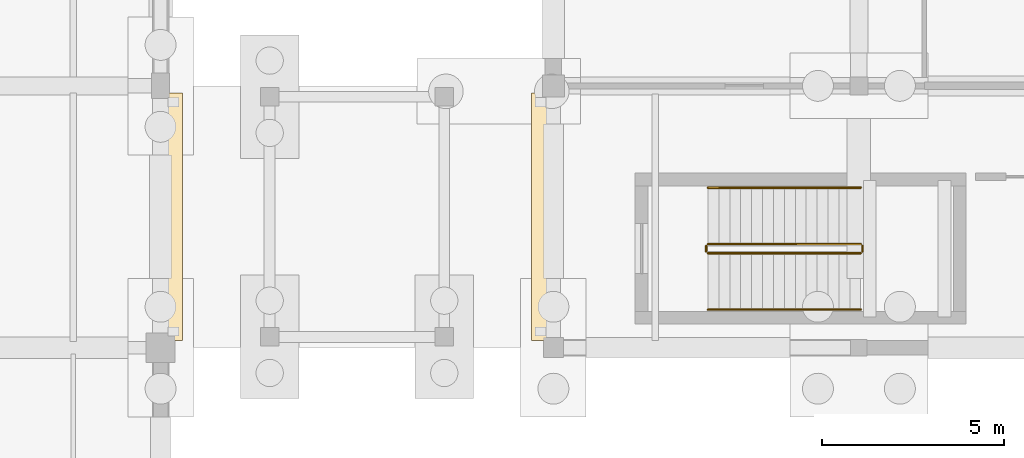
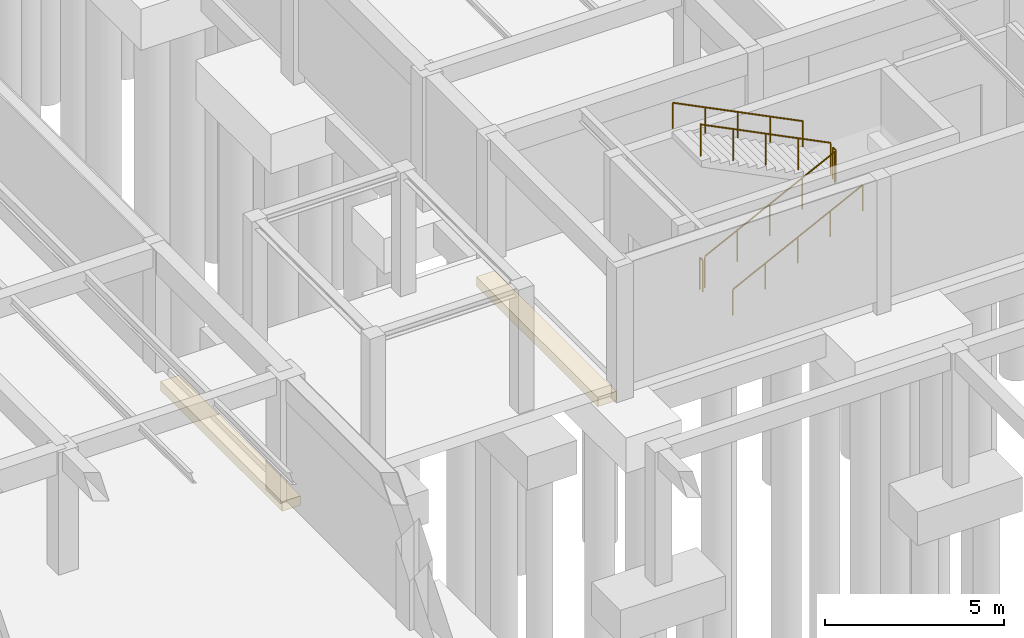
# One storey, part 58 of 63: 6 railings, 2 coverings.
"""IFC4 building model written with IfcOpenShell, lengths in metres."""

from ifc_helpers import new_model, si_unit, direction, frame, origin, origin_2d, place, context, subcontext, project, spatial, polyline, circle, outline, extrude, material, layer, layer_set, type_object, element, save


model = new_model("IFC4")

# Units and contexts
model_context = context("Model", 3, precision=1e-05, world=origin(), true_north=direction((0.0, 1.0)))
body_context = subcontext(model_context, "Body", "Model", "MODEL_VIEW")
ifc_project = project(units=[si_unit("LENGTHUNIT", "METRE"), si_unit("AREAUNIT", "SQUARE_METRE"), si_unit("VOLUMEUNIT", "CUBIC_METRE"), si_unit("PLANEANGLEUNIT", "RADIAN"), si_unit("MASSUNIT", "GRAM", prefix="KILO")], contexts=[model_context])

# Site, building, storey
site_placement = place(None, origin())
site = spatial("IfcSite", under=ifc_project, at=site_placement, CompositionType="ELEMENT")
building_placement = place(site_placement, origin())
building = spatial("IfcBuilding", under=site, at=building_placement, Name="Mazaris Harbour Polytechnic", CompositionType="ELEMENT")
storey_placement = place(building_placement, frame((0.0, 0.0, -4.5)))
storey = spatial("IfcBuildingStorey", under=building, at=storey_placement, Name="B1", CompositionType="ELEMENT", Elevation=-4.5)

# Coverings
ifc_material_1 = material(Name="Concrete C40/50", Category="concrete")
ifc_layer = layer(ifc_material_1, 0.320068359375, Name="Concrete C40/50")
ifc_layer_set = layer_set([ifc_layer], Name="Concrete C40/50")
covering_type = type_object("IfcCoveringType", Name="Bridge Bearing Corbel 600", PredefinedType="CLADDING", material=ifc_layer_set)
covering_1_placement = place(storey_placement, frame((0.0, 0.0, -0.764892578125)))
element("IfcCovering", 1, at=covering_1_placement, inside=storey, type_object=covering_type, Name="PB-W2 B1 600mm Bridge Bearing Seat Corbel W", PredefinedType="CLADDING", context=body_context, shape_type="SweptSolid", body=[
    extrude(outline(polyline([(43.199951171875, 75.800048828125), (43.800048828125, 75.800048828125), (43.800048828125, 82.60009765625), (43.199951171875, 82.60009765625), (43.199951171875, 75.800048828125)])), origin(), (0.0, 0.0, 1.0), 0.31982421875),
])
covering_2_placement = place(storey_placement, frame((0.0, 0.0, -0.764892578125)))
element("IfcCovering", 2, at=covering_2_placement, inside=storey, type_object=covering_type, Name="PB-W2 B1 600mm Bridge Bearing Seat Corbel E", PredefinedType="CLADDING", context=body_context, shape_type="SweptSolid", body=[
    extrude(outline(polyline([(53.39990234375, 75.800048828125), (54.0, 75.800048828125), (54.0, 82.60009765625), (53.39990234375, 82.60009765625), (53.39990234375, 75.800048828125)])), origin(), (0.0, 0.0, 1.0), 0.31982421875),
])

# Railings
ifc_material_2 = material(Name="Stainless Steel S355", Category="steel")
railing_type_1 = type_object("IfcRailingType", Name="Stair Wall Handrail 900", PredefinedType="HANDRAIL", material=ifc_material_2)
railing_1_placement = place(storey_placement, frame((58.25, 76.64990234375, 0.14990234375)))
element("IfcRailing", 3, at=railing_1_placement, inside=storey, type_object=railing_type_1, Name="B1 ST01 stair handrail 1", PredefinedType="HANDRAIL", context=body_context, shape_type="SweptSolid", body=[
    extrude(circle(Radius=0.02392578125, at=origin_2d()), frame((0.0, 0.0, 0.8759765625), z_axis=(0.894416792377, 0.0, 0.447234392142), x_axis=(0.0, 1.0, 0.0)), (0.0, 0.0, 1.0), 4.69580078125),
    extrude(circle(Radius=0.02099609375, at=origin_2d()), origin(), (0.0, 0.0, 1.0), 0.851806640625),
    extrude(circle(Radius=0.02099609375, at=origin_2d()), frame((1.050048828125, 0.0, 0.52490234375)), (0.0, 0.0, 1.0), 0.851806640625),
    extrude(circle(Radius=0.02099609375, at=origin_2d()), frame((2.10009765625, 0.0, 1.050048828125)), (0.0, 0.0, 1.0), 0.851806640625),
    extrude(circle(Radius=0.02099609375, at=origin_2d()), frame((3.14990234375, 0.0, 1.5751953125)), (0.0, 0.0, 1.0), 0.851806640625),
    extrude(circle(Radius=0.02099609375, at=origin_2d()), frame((4.199951171875, 0.0, 2.10009765625)), (0.0, 0.0, 1.0), 0.851806640625),
])
railing_2_placement = place(storey_placement, frame((62.449951171875, 80.0, 2.39990234375)))
element("IfcRailing", 4, at=railing_2_placement, inside=storey, type_object=railing_type_1, Name="B1 ST01 stair handrail 2", PredefinedType="HANDRAIL", context=body_context, shape_type="SweptSolid", body=[
    extrude(circle(Radius=0.02392578125, at=origin_2d()), frame((0.0, 0.0, 0.8759765625), z_axis=(-0.894416792377, 0.0, 0.447234392142), x_axis=(0.0, -1.0, 0.0)), (0.0, 0.0, 1.0), 4.69580078125),
    extrude(circle(Radius=0.02099609375, at=origin_2d()), origin(), (0.0, 0.0, 1.0), 0.851806640625),
    extrude(circle(Radius=0.02099609375, at=origin_2d()), frame((-1.050048828125, 0.0, 0.52490234375)), (0.0, 0.0, 1.0), 0.851806640625),
    extrude(circle(Radius=0.02099609375, at=origin_2d()), frame((-2.10009765625, 0.0, 1.050048828125)), (0.0, 0.0, 1.0), 0.851806640625),
    extrude(circle(Radius=0.02099609375, at=origin_2d()), frame((-3.14990234375, 0.0, 1.5751953125)), (0.0, 0.0, 1.0), 0.851806640625),
    extrude(circle(Radius=0.02099609375, at=origin_2d()), frame((-4.199951171875, 0.0, 2.10009765625)), (0.0, 0.0, 1.0), 0.851806640625),
])
ifc_material_3 = material(Name="Steel S355", Category="steel")
railing_type_2 = type_object("IfcRailingType", Name="Stair Well Guardrail 1100", PredefinedType="GUARDRAIL", material=ifc_material_3)
railing_3_placement = place(storey_placement, frame((58.25, 78.199951171875, 0.14990234375)))
element("IfcRailing", 5, at=railing_3_placement, inside=storey, type_object=railing_type_2, Name="B1 ST01 stair guard 1", PredefinedType="GUARDRAIL", context=body_context, shape_type="SweptSolid", body=[
    extrude(circle(Radius=0.02392578125, at=origin_2d()), frame((0.0, 0.0, 1.076171875), z_axis=(0.894416792377, 0.0, 0.447234392142), x_axis=(0.0, 1.0, 0.0)), (0.0, 0.0, 1.0), 4.69580078125),
    extrude(circle(Radius=0.02099609375, at=origin_2d()), origin(), (0.0, 0.0, 1.0), 1.052001953125),
    extrude(circle(Radius=0.02099609375, at=origin_2d()), frame((1.050048828125, 0.0, 0.52490234375)), (0.0, 0.0, 1.0), 1.052001953125),
    extrude(circle(Radius=0.02099609375, at=origin_2d()), frame((2.10009765625, 0.0, 1.050048828125)), (0.0, 0.0, 1.0), 1.052001953125),
    extrude(circle(Radius=0.02099609375, at=origin_2d()), frame((3.14990234375, 0.0, 1.5751953125)), (0.0, 0.0, 1.0), 1.052001953125),
    extrude(circle(Radius=0.02099609375, at=origin_2d()), frame((4.199951171875, 0.0, 2.10009765625)), (0.0, 0.0, 1.0), 1.052001953125),
])
railing_4_placement = place(storey_placement, frame((62.5, 78.25, 2.25)))
element("IfcRailing", 6, at=railing_4_placement, inside=storey, type_object=railing_type_2, Name="B1 ST01 stair guard 2", PredefinedType="GUARDRAIL", context=body_context, shape_type="SweptSolid", body=[
    extrude(circle(Radius=0.02392578125, at=origin_2d()), frame((0.0, 0.0, 1.076171875), z_axis=(0.0, 1.0, 0.0), x_axis=(-1.0, 0.0, 0.0)), (0.0, 0.0, 1.0), 0.14990234375),
    extrude(circle(Radius=0.02099609375, at=origin_2d()), origin(), (0.0, 0.0, 1.0), 1.052001953125),
    extrude(circle(Radius=0.02099609375, at=origin_2d()), frame((0.0, 0.14990234375, 0.0)), (0.0, 0.0, 1.0), 1.052001953125),
])
railing_5_placement = place(storey_placement, frame((62.449951171875, 78.449951171875, 2.39990234375)))
element("IfcRailing", 7, at=railing_5_placement, inside=storey, type_object=railing_type_2, Name="B1 ST01 stair guard 3", PredefinedType="GUARDRAIL", context=body_context, shape_type="SweptSolid", body=[
    extrude(circle(Radius=0.02392578125, at=origin_2d()), frame((0.0, 0.0, 1.076171875), z_axis=(-0.894416792377, 0.0, 0.447234392142), x_axis=(0.0, -1.0, 0.0)), (0.0, 0.0, 1.0), 4.69580078125),
    extrude(circle(Radius=0.02099609375, at=origin_2d()), origin(), (0.0, 0.0, 1.0), 1.052001953125),
    extrude(circle(Radius=0.02099609375, at=origin_2d()), frame((-1.050048828125, 0.0, 0.52490234375)), (0.0, 0.0, 1.0), 1.052001953125),
    extrude(circle(Radius=0.02099609375, at=origin_2d()), frame((-2.10009765625, 0.0, 1.050048828125)), (0.0, 0.0, 1.0), 1.052001953125),
    extrude(circle(Radius=0.02099609375, at=origin_2d()), frame((-3.14990234375, 0.0, 1.5751953125)), (0.0, 0.0, 1.0), 1.052001953125),
    extrude(circle(Radius=0.02099609375, at=origin_2d()), frame((-4.199951171875, 0.0, 2.10009765625)), (0.0, 0.0, 1.0), 1.052001953125),
])
railing_6_placement = place(storey_placement, frame((58.199951171875, 78.25, 0.0)))
element("IfcRailing", 8, at=railing_6_placement, inside=storey, type_object=railing_type_2, Name="B1 ST01 stair guard 4", PredefinedType="GUARDRAIL", context=body_context, shape_type="SweptSolid", body=[
    extrude(circle(Radius=0.02392578125, at=origin_2d()), frame((0.0, 0.0, 1.076171875), z_axis=(0.0, 1.0, 0.0), x_axis=(-1.0, 0.0, 0.0)), (0.0, 0.0, 1.0), 0.14990234375),
    extrude(circle(Radius=0.02099609375, at=origin_2d()), origin(), (0.0, 0.0, 1.0), 1.052001953125),
    extrude(circle(Radius=0.02099609375, at=origin_2d()), frame((0.0, 0.14990234375, 0.0)), (0.0, 0.0, 1.0), 1.052001953125),
])

save(model, "model.ifc")
